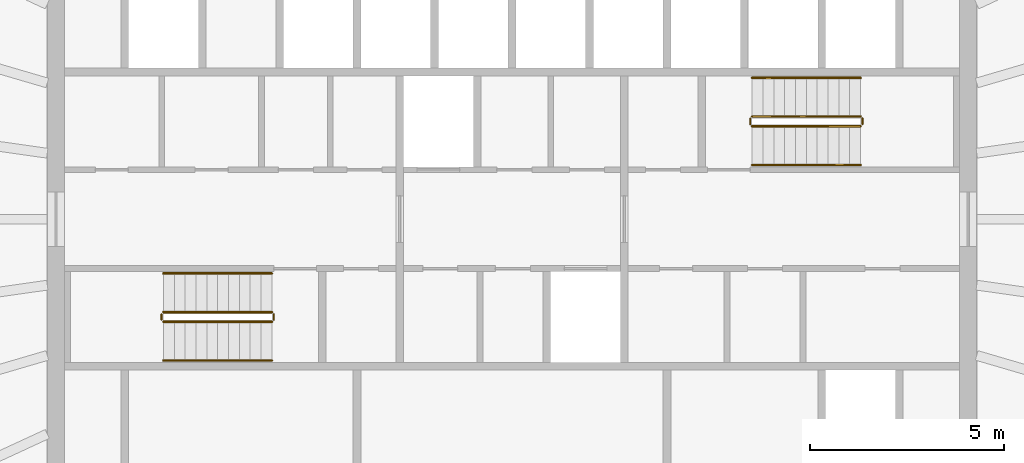
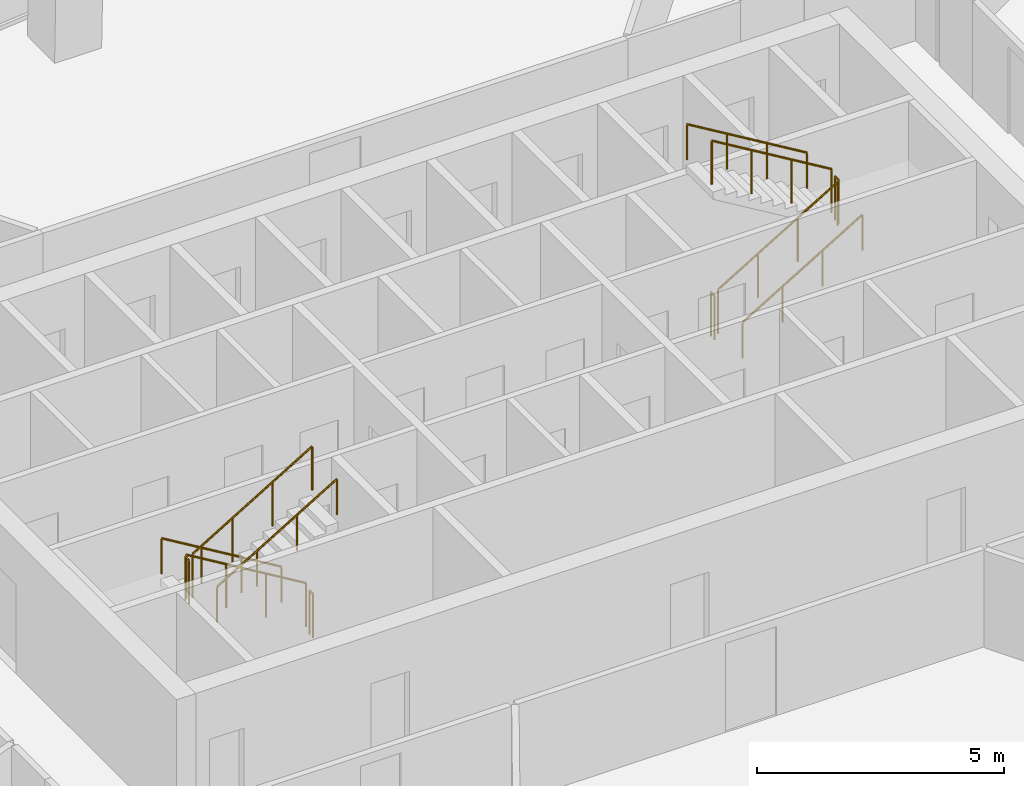
# One storey, part 13 of 13: 12 railings.
"""IFC4 building model written with IfcOpenShell, lengths in metres."""

from ifc_helpers import new_model, si_unit, direction, frame, origin, origin_2d, place, context, subcontext, project, spatial, circle, extrude, material, type_object, element, save


model = new_model("IFC4")

# Units and contexts
model_context = context("Model", 3, precision=1e-05, world=origin(), true_north=direction((0.0, 1.0)))
body_context = subcontext(model_context, "Body", "Model", "MODEL_VIEW")
ifc_project = project(units=[si_unit("LENGTHUNIT", "METRE"), si_unit("AREAUNIT", "SQUARE_METRE"), si_unit("VOLUMEUNIT", "CUBIC_METRE"), si_unit("PLANEANGLEUNIT", "RADIAN"), si_unit("MASSUNIT", "GRAM", prefix="KILO")], contexts=[model_context])

# Site, building, storey
site_placement = place(None, origin())
site = spatial("IfcSite", under=ifc_project, at=site_placement, CompositionType="ELEMENT")
building_placement = place(site_placement, origin())
building = spatial("IfcBuilding", under=site, at=building_placement, Name="Siaravel Broadcast Tower", CompositionType="ELEMENT")
storey_placement = place(building_placement, frame((0.0, 0.0, 175.60009765625)))
storey = spatial("IfcBuildingStorey", under=building, at=storey_placement, Name="L42", CompositionType="ELEMENT", Elevation=175.60009765625)

# Railings
ifc_material = material(Name="Stainless steel 316L", Category="steel")
railing_type_1 = type_object("IfcRailingType", Name="Stair guard 1100", PredefinedType="GUARDRAIL", material=ifc_material)
railing_1_placement = place(storey_placement, frame((-6.199951171875, -2.39990234375, 0.16796875)))
element("IfcRailing", 1, at=railing_1_placement, inside=storey, type_object=railing_type_1, Name="L42 ST-1 stair guard 1", PredefinedType="GUARDRAIL", context=body_context, shape_type="SweptSolid", body=[
    extrude(circle(Radius=0.02392578125, at=origin_2d()), frame((0.0, 0.0, 1.076171875), z_axis=(-0.857242211, 0.0, 0.514913383), x_axis=(0.0, -1.0, 0.0)), (0.0, 0.0, 1.0), 3.266357421875),
    extrude(circle(Radius=0.02099609375, at=origin_2d()), origin(), (0.0, 0.0, 1.0), 1.052001953125),
    extrude(circle(Radius=0.02099609375, at=origin_2d()), frame((-0.933349609375, 0.0, 0.560546875)), (0.0, 0.0, 1.0), 1.052001953125),
    extrude(circle(Radius=0.02099609375, at=origin_2d()), frame((-1.86669921875, 0.0, 1.121337890625)), (0.0, 0.0, 1.0), 1.052001953125),
    extrude(circle(Radius=0.02099609375, at=origin_2d()), frame((-2.800048828125, 0.0, 1.681884765625)), (0.0, 0.0, 1.0), 1.052001953125),
])
railing_2_placement = place(storey_placement, frame((-9.050048828125, -2.449951171875, 1.849853515625)))
element("IfcRailing", 2, at=railing_2_placement, inside=storey, type_object=railing_type_1, Name="L42 ST-1 stair guard 2", PredefinedType="GUARDRAIL", context=body_context, shape_type="SweptSolid", body=[
    extrude(circle(Radius=0.02392578125, at=origin_2d()), frame((0.0, 0.0, 1.076171875), z_axis=(0.0, -1.0, 0.0), x_axis=(1.0, 0.0, 0.0)), (0.0, 0.0, 1.0), 0.150146484375),
    extrude(circle(Radius=0.02099609375, at=origin_2d()), origin(), (0.0, 0.0, 1.0), 1.052001953125),
    extrude(circle(Radius=0.02099609375, at=origin_2d()), frame((0.0, -0.150146484375, 0.0)), (0.0, 0.0, 1.0), 1.052001953125),
])
railing_3_placement = place(storey_placement, frame((-9.0, -2.64990234375, 2.01806640625)))
element("IfcRailing", 3, at=railing_3_placement, inside=storey, type_object=railing_type_1, Name="L42 ST-1 stair guard 3", PredefinedType="GUARDRAIL", context=body_context, shape_type="SweptSolid", body=[
    extrude(circle(Radius=0.02392578125, at=origin_2d()), frame((0.0, 0.0, 1.076171875), z_axis=(0.857242211, 0.0, 0.514913383), x_axis=(0.0, 1.0, 0.0)), (0.0, 0.0, 1.0), 3.266357421875),
    extrude(circle(Radius=0.02099609375, at=origin_2d()), origin(), (0.0, 0.0, 1.0), 1.052001953125),
    extrude(circle(Radius=0.02099609375, at=origin_2d()), frame((0.933349609375, 0.0, 0.560546875)), (0.0, 0.0, 1.0), 1.052001953125),
    extrude(circle(Radius=0.02099609375, at=origin_2d()), frame((1.86669921875, 0.0, 1.121337890625)), (0.0, 0.0, 1.0), 1.052001953125),
    extrude(circle(Radius=0.02099609375, at=origin_2d()), frame((2.800048828125, 0.0, 1.681884765625)), (0.0, 0.0, 1.0), 1.052001953125),
])
railing_4_placement = place(storey_placement, frame((-6.14990234375, -2.449951171875, 0.0)))
element("IfcRailing", 4, at=railing_4_placement, inside=storey, type_object=railing_type_1, Name="L42 ST-1 stair guard 4", PredefinedType="GUARDRAIL", context=body_context, shape_type="SweptSolid", body=[
    extrude(circle(Radius=0.02392578125, at=origin_2d()), frame((0.0, 0.0, 1.076171875), z_axis=(0.0, -1.0, 0.0), x_axis=(1.0, 0.0, 0.0)), (0.0, 0.0, 1.0), 0.150146484375),
    extrude(circle(Radius=0.02099609375, at=origin_2d()), origin(), (0.0, 0.0, 1.0), 1.052001953125),
    extrude(circle(Radius=0.02099609375, at=origin_2d()), frame((0.0, -0.150146484375, 0.0)), (0.0, 0.0, 1.0), 1.052001953125),
])
railing_5_placement = place(storey_placement, frame((6.199951171875, 2.39990234375, 0.16796875)))
element("IfcRailing", 5, at=railing_5_placement, inside=storey, type_object=railing_type_1, Name="L42 ST-2 stair guard 1", PredefinedType="GUARDRAIL", context=body_context, shape_type="SweptSolid", body=[
    extrude(circle(Radius=0.02392578125, at=origin_2d()), frame((0.0, 0.0, 1.076171875), z_axis=(0.857242211, 0.0, 0.514913383), x_axis=(0.0, 1.0, 0.0)), (0.0, 0.0, 1.0), 3.266357421875),
    extrude(circle(Radius=0.02099609375, at=origin_2d()), origin(), (0.0, 0.0, 1.0), 1.052001953125),
    extrude(circle(Radius=0.02099609375, at=origin_2d()), frame((0.933349609375, 0.0, 0.560546875)), (0.0, 0.0, 1.0), 1.052001953125),
    extrude(circle(Radius=0.02099609375, at=origin_2d()), frame((1.86669921875, 0.0, 1.121337890625)), (0.0, 0.0, 1.0), 1.052001953125),
    extrude(circle(Radius=0.02099609375, at=origin_2d()), frame((2.800048828125, 0.0, 1.681884765625)), (0.0, 0.0, 1.0), 1.052001953125),
])
railing_6_placement = place(storey_placement, frame((9.050048828125, 2.449951171875, 1.849853515625)))
element("IfcRailing", 6, at=railing_6_placement, inside=storey, type_object=railing_type_1, Name="L42 ST-2 stair guard 2", PredefinedType="GUARDRAIL", context=body_context, shape_type="SweptSolid", body=[
    extrude(circle(Radius=0.02392578125, at=origin_2d()), frame((0.0, 0.0, 1.076171875), z_axis=(0.0, 1.0, 0.0), x_axis=(-1.0, 0.0, 0.0)), (0.0, 0.0, 1.0), 0.150146484375),
    extrude(circle(Radius=0.02099609375, at=origin_2d()), origin(), (0.0, 0.0, 1.0), 1.052001953125),
    extrude(circle(Radius=0.02099609375, at=origin_2d()), frame((0.0, 0.150146484375, 0.0)), (0.0, 0.0, 1.0), 1.052001953125),
])
railing_7_placement = place(storey_placement, frame((9.0, 2.64990234375, 2.01806640625)))
element("IfcRailing", 7, at=railing_7_placement, inside=storey, type_object=railing_type_1, Name="L42 ST-2 stair guard 3", PredefinedType="GUARDRAIL", context=body_context, shape_type="SweptSolid", body=[
    extrude(circle(Radius=0.02392578125, at=origin_2d()), frame((0.0, 0.0, 1.076171875), z_axis=(-0.857242211, 0.0, 0.514913383), x_axis=(0.0, -1.0, 0.0)), (0.0, 0.0, 1.0), 3.266357421875),
    extrude(circle(Radius=0.02099609375, at=origin_2d()), origin(), (0.0, 0.0, 1.0), 1.052001953125),
    extrude(circle(Radius=0.02099609375, at=origin_2d()), frame((-0.933349609375, 0.0, 0.560546875)), (0.0, 0.0, 1.0), 1.052001953125),
    extrude(circle(Radius=0.02099609375, at=origin_2d()), frame((-1.86669921875, 0.0, 1.121337890625)), (0.0, 0.0, 1.0), 1.052001953125),
    extrude(circle(Radius=0.02099609375, at=origin_2d()), frame((-2.800048828125, 0.0, 1.681884765625)), (0.0, 0.0, 1.0), 1.052001953125),
])
railing_8_placement = place(storey_placement, frame((6.14990234375, 2.449951171875, 0.0)))
element("IfcRailing", 8, at=railing_8_placement, inside=storey, type_object=railing_type_1, Name="L42 ST-2 stair guard 4", PredefinedType="GUARDRAIL", context=body_context, shape_type="SweptSolid", body=[
    extrude(circle(Radius=0.02392578125, at=origin_2d()), frame((0.0, 0.0, 1.076171875), z_axis=(0.0, 1.0, 0.0), x_axis=(-1.0, 0.0, 0.0)), (0.0, 0.0, 1.0), 0.150146484375),
    extrude(circle(Radius=0.02099609375, at=origin_2d()), origin(), (0.0, 0.0, 1.0), 1.052001953125),
    extrude(circle(Radius=0.02099609375, at=origin_2d()), frame((0.0, 0.150146484375, 0.0)), (0.0, 0.0, 1.0), 1.052001953125),
])
railing_type_2 = type_object("IfcRailingType", Name="Stair handrail 900", PredefinedType="HANDRAIL", material=ifc_material)
railing_9_placement = place(storey_placement, frame((-6.199951171875, -1.39990234375, 0.16796875)))
element("IfcRailing", 9, at=railing_9_placement, inside=storey, type_object=railing_type_2, Name="L42 ST-1 stair handrail 1", PredefinedType="HANDRAIL", context=body_context, shape_type="SweptSolid", body=[
    extrude(circle(Radius=0.02392578125, at=origin_2d()), frame((0.0, 0.0, 0.8759765625), z_axis=(-0.857242211, 0.0, 0.514913383), x_axis=(0.0, -1.0, 0.0)), (0.0, 0.0, 1.0), 3.266357421875),
    extrude(circle(Radius=0.02099609375, at=origin_2d()), origin(), (0.0, 0.0, 1.0), 0.851806640625),
    extrude(circle(Radius=0.02099609375, at=origin_2d()), frame((-0.933349609375, 0.0, 0.560546875)), (0.0, 0.0, 1.0), 0.851806640625),
    extrude(circle(Radius=0.02099609375, at=origin_2d()), frame((-1.86669921875, 0.0, 1.121337890625)), (0.0, 0.0, 1.0), 0.851806640625),
    extrude(circle(Radius=0.02099609375, at=origin_2d()), frame((-2.800048828125, 0.0, 1.681884765625)), (0.0, 0.0, 1.0), 0.851806640625),
])
for number, where, name in (
    (10, (-9.0, -3.64990234375, 2.01806640625), "L42 ST-1 stair handrail 2"),
    (11, (6.199951171875, 1.39990234375, 0.16796875), "L42 ST-2 stair handrail 1"),
):
    element("IfcRailing", number, at=place(storey_placement, frame(where)), inside=storey, type_object=railing_type_2, Name=name, PredefinedType="HANDRAIL", context=body_context, shape_type="SweptSolid", body=[
        extrude(circle(Radius=0.02392578125, at=origin_2d()), frame((0.0, 0.0, 0.8759765625), z_axis=(0.857242211, 0.0, 0.514913383), x_axis=(0.0, 1.0, 0.0)), (0.0, 0.0, 1.0), 3.266357421875),
        extrude(circle(Radius=0.02099609375, at=origin_2d()), origin(), (0.0, 0.0, 1.0), 0.851806640625),
        extrude(circle(Radius=0.02099609375, at=origin_2d()), frame((0.933349609375, 0.0, 0.560546875)), (0.0, 0.0, 1.0), 0.851806640625),
        extrude(circle(Radius=0.02099609375, at=origin_2d()), frame((1.86669921875, 0.0, 1.121337890625)), (0.0, 0.0, 1.0), 0.851806640625),
        extrude(circle(Radius=0.02099609375, at=origin_2d()), frame((2.800048828125, 0.0, 1.681884765625)), (0.0, 0.0, 1.0), 0.851806640625),
    ])
railing_10_placement = place(storey_placement, frame((9.0, 3.64990234375, 2.01806640625)))
element("IfcRailing", 12, at=railing_10_placement, inside=storey, type_object=railing_type_2, Name="L42 ST-2 stair handrail 2", PredefinedType="HANDRAIL", context=body_context, shape_type="SweptSolid", body=[
    extrude(circle(Radius=0.02392578125, at=origin_2d()), frame((0.0, 0.0, 0.8759765625), z_axis=(-0.857242211, 0.0, 0.514913383), x_axis=(0.0, -1.0, 0.0)), (0.0, 0.0, 1.0), 3.266357421875),
    extrude(circle(Radius=0.02099609375, at=origin_2d()), origin(), (0.0, 0.0, 1.0), 0.851806640625),
    extrude(circle(Radius=0.02099609375, at=origin_2d()), frame((-0.933349609375, 0.0, 0.560546875)), (0.0, 0.0, 1.0), 0.851806640625),
    extrude(circle(Radius=0.02099609375, at=origin_2d()), frame((-1.86669921875, 0.0, 1.121337890625)), (0.0, 0.0, 1.0), 0.851806640625),
    extrude(circle(Radius=0.02099609375, at=origin_2d()), frame((-2.800048828125, 0.0, 1.681884765625)), (0.0, 0.0, 1.0), 0.851806640625),
])

save(model, "model.ifc")
